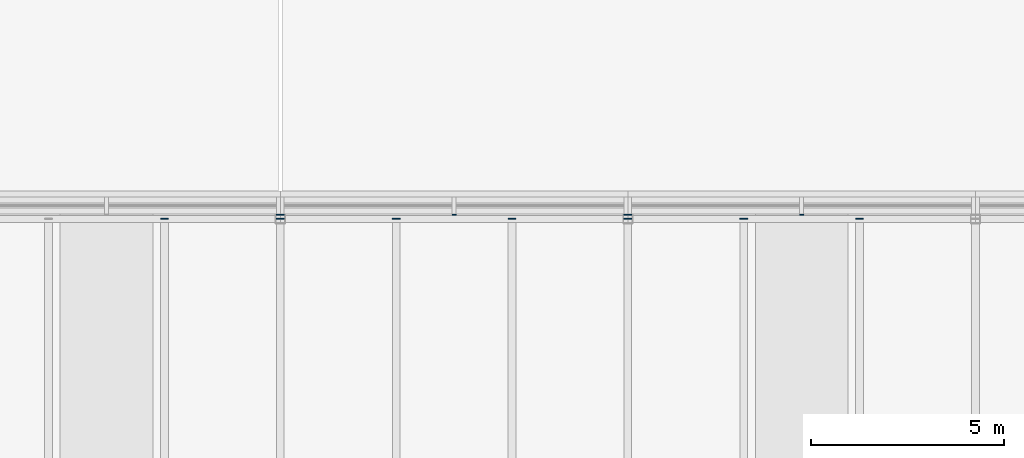
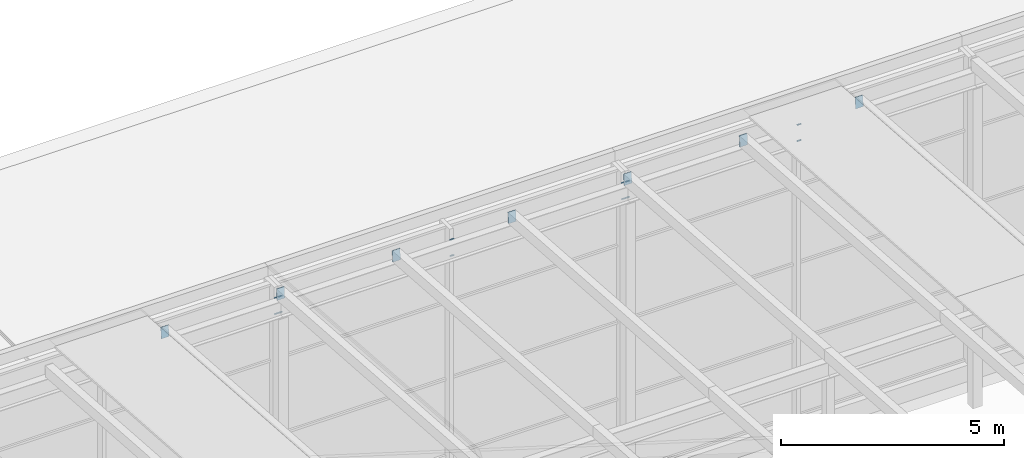
# One storey, part 79 of 84: 19 discrete accessories.
"""IFC4 building model written with IfcOpenShell, lengths in metres."""

from ifc_helpers import new_model, si_unit, direction, frame, origin, origin_2d, place, context, subcontext, project, spatial, rectangle, extrude, material, layer, layer_set, type_object, element, save


model = new_model("IFC4")

# Units and contexts
model_context = context("Model", 3, precision=1e-05, world=origin(), true_north=direction((0.0, 1.0)))
body_context = subcontext(model_context, "Body", "Model", "MODEL_VIEW")
ifc_project = project(units=[si_unit("LENGTHUNIT", "METRE"), si_unit("AREAUNIT", "SQUARE_METRE"), si_unit("VOLUMEUNIT", "CUBIC_METRE"), si_unit("PLANEANGLEUNIT", "RADIAN"), si_unit("MASSUNIT", "GRAM", prefix="KILO")], contexts=[model_context])

# Site, building, storey
site_placement = place(None, origin())
site = spatial("IfcSite", under=ifc_project, at=site_placement, CompositionType="ELEMENT")
building_placement = place(site_placement, origin())
building = spatial("IfcBuilding", under=site, at=building_placement, Name="Silverbay Arena", CompositionType="ELEMENT")
storey_placement = place(building_placement, frame((0.0, 0.0, 47.10009765625)))
storey = spatial("IfcBuildingStorey", under=building, at=storey_placement, Name="ROOF", CompositionType="ELEMENT", Elevation=47.10009765625)

# Discrete accessories
ifc_material_1 = material(Name="Steel S355", Category="steel")
ifc_layer = layer(ifc_material_1, 0.011962890625)
ifc_layer_set = layer_set([ifc_layer], Name="Steel S355")
discrete_accessory_type_1 = type_object("IfcDiscreteAccessoryType", Name="Purlin end plate 12", PredefinedType="USERDEFINED", material=ifc_layer_set)
for number, where, z_axis, x_axis, name in (
    (1, (132.0, 135.0, 8.74951171875), (0.0, 0.996684615823, -0.081362009455), (-1.0, 0.0, 0.0), "Purlin end plate"),
    (2, (135.0, 135.0, 8.74951171875), (0.0, 0.996684615823, -0.081362009455), (-1.0, 0.0, 0.0), "Purlin end plate"),
    (3, (138.0, 135.0, 8.74951171875), (0.0, 0.996684615823, -0.081362009455), (-1.0, 0.0, 0.0), "Purlin end plate"),
    (4, (141.0, 135.0, 8.74951171875), (0.0, 0.996684615823, -0.081362009455), (-1.0, 0.0, 0.0), "Purlin end plate"),
    (5, (144.0, 135.0, 8.74951171875), (0.0, 0.996684615823, -0.081362009455), (-1.0, 0.0, 0.0), "Purlin end plate"),
    (6, (147.0, 135.0, 8.74951171875), (0.0, 0.996684615823, -0.081362009455), (-1.0, 0.0, 0.0), "Purlin end plate"),
    (7, (150.0, 135.0, 8.74951171875), (0.0, 0.996684615823, -0.081362009455), (-1.0, 0.0, 0.0), "Purlin end plate"),
):
    element("IfcDiscreteAccessory", number, at=place(storey_placement, frame(where, z_axis=z_axis, x_axis=x_axis)), inside=storey, type_object=discrete_accessory_type_1, Name=name, ObjectType="END PLATE", PredefinedType="USERDEFINED", context=body_context, shape_type="SweptSolid", body=[
        extrude(rectangle(XDim=0.199951171875, YDim=0.300048828125, at=origin_2d()), origin(), (0.0, 0.0, 1.0), 0.011962890625),
    ])
ifc_material_2 = material(Name="Steel S355", Category="steel")
discrete_accessory_type_2 = type_object("IfcDiscreteAccessoryType", Name="Steel bracket plate", PredefinedType="BRACKET", material=ifc_material_2)
for number, where, z_axis, x_axis, name in (
    (8, (134.949951171875, 135.10986328125, 8.58642578125), (0.0, 0.0, 1.0), (1.0, 0.0, 0.0), "Curtain wall packing plate"),
    (9, (134.949951171875, 135.10986328125, 8.145751953125), (0.0, 0.0, 1.0), (1.0, 0.0, 0.0), "Curtain wall packing plate"),
    (10, (135.050048828125, 135.10986328125, 8.58642578125), (0.0, 0.0, 1.0), (1.0, 0.0, 0.0), "Curtain wall packing plate"),
    (11, (135.050048828125, 135.10986328125, 8.145751953125), (0.0, 0.0, 1.0), (1.0, 0.0, 0.0), "Curtain wall packing plate"),
    (12, (139.5, 135.10986328125, 8.58642578125), (0.0, 0.0, 1.0), (1.0, 0.0, 0.0), "Curtain wall packing plate"),
    (13, (139.5, 135.10986328125, 8.145751953125), (0.0, 0.0, 1.0), (1.0, 0.0, 0.0), "Curtain wall packing plate"),
    (14, (143.949951171875, 135.10986328125, 8.58642578125), (0.0, 0.0, 1.0), (1.0, 0.0, 0.0), "Curtain wall packing plate"),
    (15, (143.949951171875, 135.10986328125, 8.145751953125), (0.0, 0.0, 1.0), (1.0, 0.0, 0.0), "Curtain wall packing plate"),
    (16, (144.050048828125, 135.10986328125, 8.58642578125), (0.0, 0.0, 1.0), (1.0, 0.0, 0.0), "Curtain wall packing plate"),
    (17, (144.050048828125, 135.10986328125, 8.145751953125), (0.0, 0.0, 1.0), (1.0, 0.0, 0.0), "Curtain wall packing plate"),
    (18, (148.5, 135.10986328125, 8.58642578125), (0.0, 0.0, 1.0), (1.0, 0.0, 0.0), "Curtain wall packing plate"),
    (19, (148.5, 135.10986328125, 8.145751953125), (0.0, 0.0, 1.0), (1.0, 0.0, 0.0), "Curtain wall packing plate"),
):
    element("IfcDiscreteAccessory", number, at=place(storey_placement, frame(where, z_axis=z_axis, x_axis=x_axis)), inside=storey, type_object=discrete_accessory_type_2, Name=name, PredefinedType="BRACKET", context=body_context, shape_type="SweptSolid", body=[
        extrude(rectangle(XDim=0.10009765625, YDim=0.030029296875, at=origin_2d()), origin(), (0.0, 0.0, 1.0), 0.0126953125),
    ])

save(model, "model.ifc")
